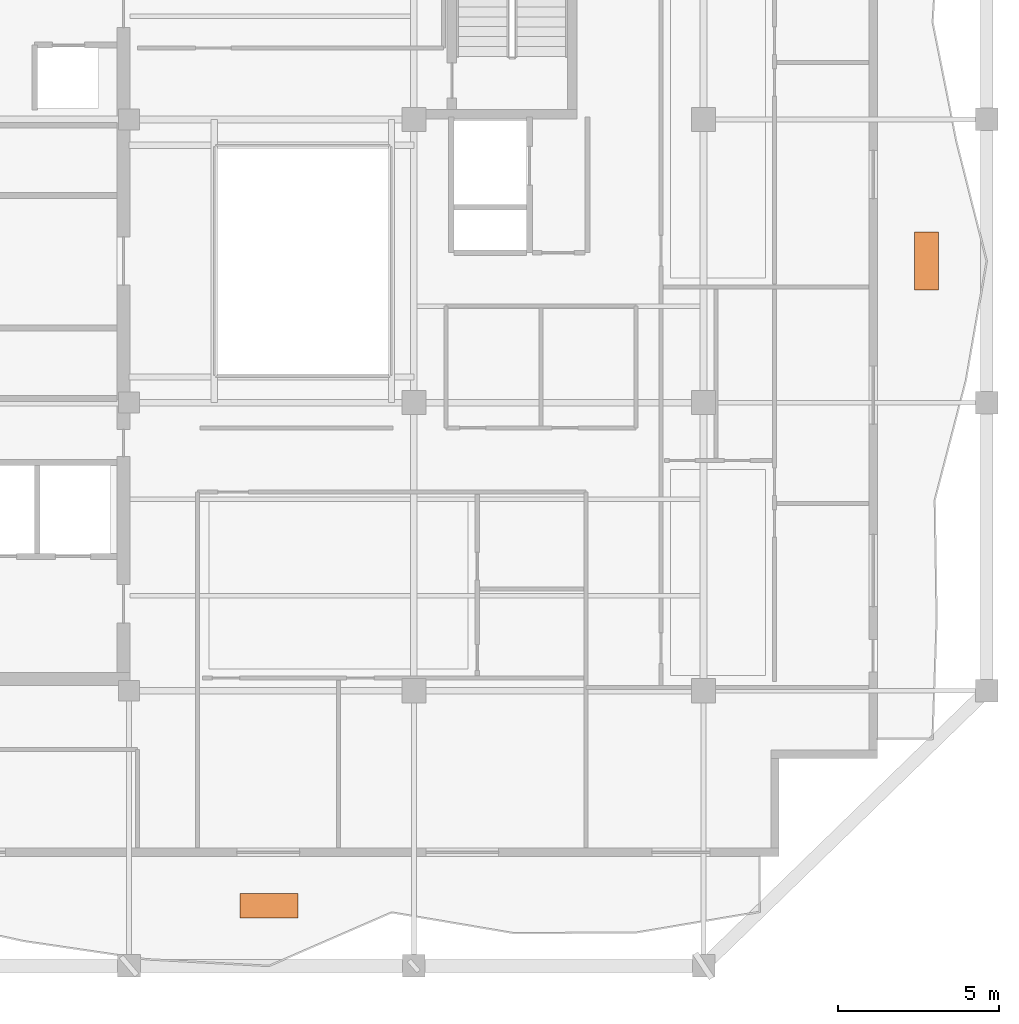
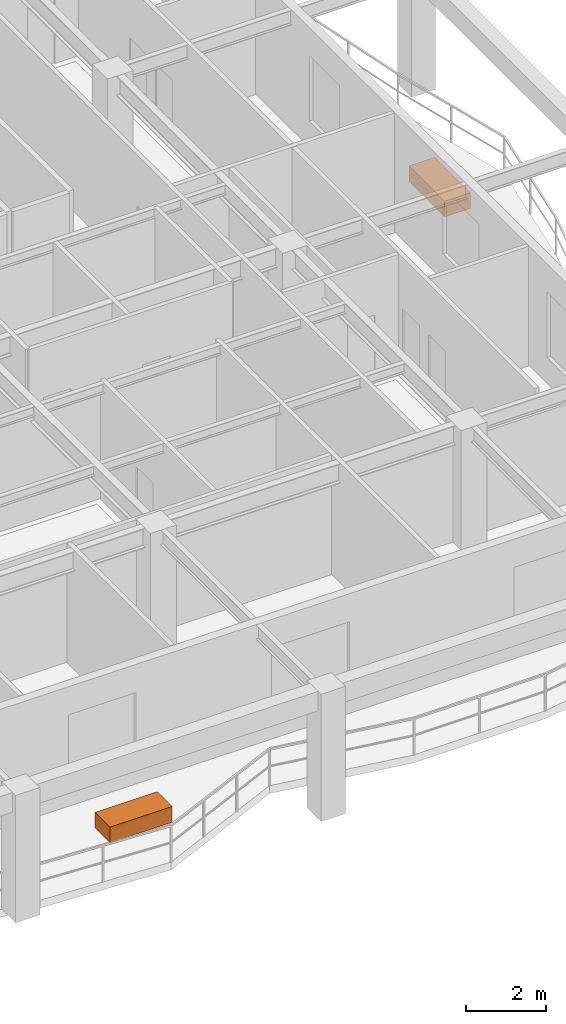
# One storey, part 10 of 10: 2 proxies.
"""IFC4 building model written with IfcOpenShell, lengths in metres."""

from ifc_helpers import new_model, si_unit, direction, frame, origin, origin_2d, place, context, subcontext, project, spatial, rectangle, extrude, material, type_object, element, save


model = new_model("IFC4")

# Units and contexts
model_context = context("Model", 3, precision=1e-05, world=origin(), true_north=direction((0.0, 1.0)))
body_context = subcontext(model_context, "Body", "Model", "MODEL_VIEW")
ifc_project = project(units=[si_unit("LENGTHUNIT", "METRE"), si_unit("AREAUNIT", "SQUARE_METRE"), si_unit("VOLUMEUNIT", "CUBIC_METRE"), si_unit("PLANEANGLEUNIT", "RADIAN"), si_unit("MASSUNIT", "GRAM", prefix="KILO")], contexts=[model_context])

# Site, building, storey
site_placement = place(None, origin())
site = spatial("IfcSite", under=ifc_project, at=site_placement, CompositionType="ELEMENT")
building_placement = place(site_placement, origin())
building = spatial("IfcBuilding", under=site, at=building_placement, Name="Kundavana Baori Tower", CompositionType="ELEMENT")
storey_placement = place(building_placement, frame((0.0, 0.0, 280.39990234375)))
storey = spatial("IfcBuildingStorey", under=building, at=storey_placement, Name="L69", CompositionType="ELEMENT", Elevation=280.39990234375)

# Proxies
ifc_material = material(Name="Red-Buff Dholpur Sandstone Cladding on Concrete C40/50", Category="masonry")
building_element_proxy_type = type_object("IfcBuildingElementProxyType", Name="PRX-PLANTER-1800", PredefinedType="USERDEFINED", material=ifc_material)
for number, where, z_axis, x_axis, name in (
    (1, (29.300048828125, 8.570068359375, 0.0), (0.0, 0.0, 1.0), (1.0, 0.0, 0.0), "L69 Dholpur Stone Structural Tree Planter S"),
    (2, (49.72998046875, 28.60009765625, 0.0), (0.0, 0.0, 1.0), (0.0, 1.0, 0.0), "L69 Dholpur Stone Structural Tree Planter E"),
):
    element("IfcBuildingElementProxy", number, at=place(storey_placement, frame(where, z_axis=z_axis, x_axis=x_axis)), inside=storey, type_object=building_element_proxy_type, Name=name, ObjectType="PLANTER", PredefinedType="USERDEFINED", context=body_context, shape_type="SweptSolid", body=[
        extrude(rectangle(XDim=1.800048828125, YDim=0.75, at=origin_2d()), origin(), (0.0, 0.0, 1.0), 0.47998046875),
    ])

save(model, "model.ifc")
